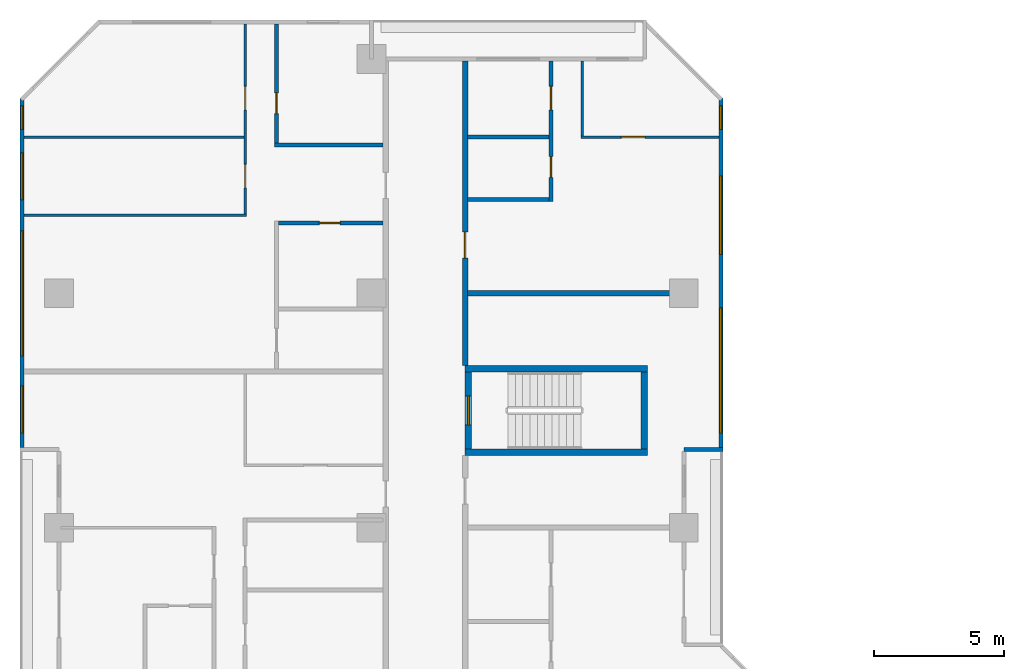
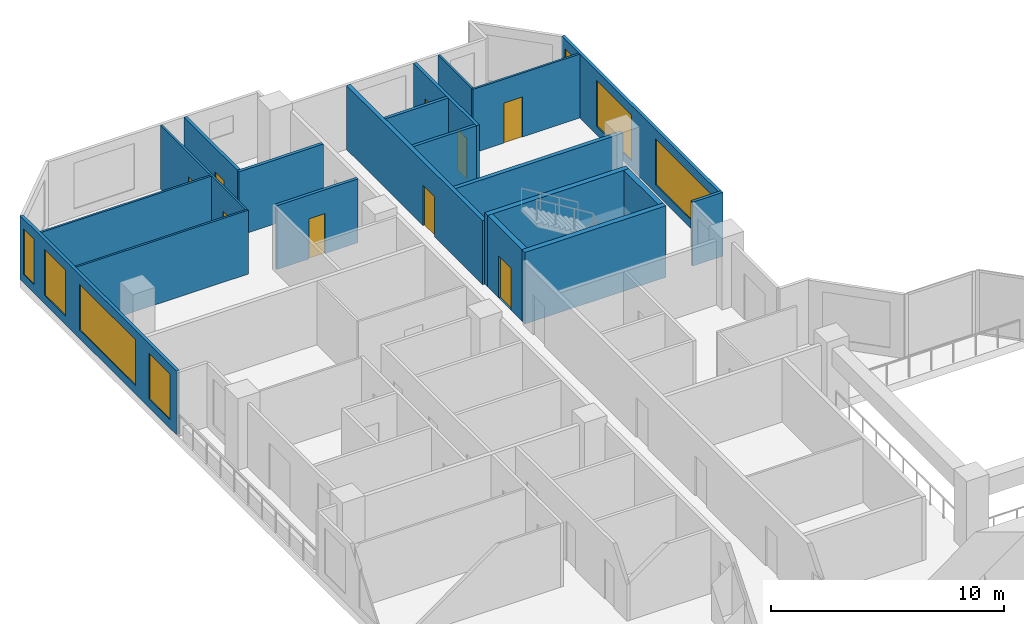
# One storey, part 10 of 15: 20 walls, 9 doors, 7 windows, 16 openings.
"""IFC4 building model written with IfcOpenShell, lengths in metres."""

from ifc_helpers import new_model, si_unit, direction, frame, frame_2d, origin, place, context, subcontext, project, spatial, rectangle, extrude, material, layer, layer_set, type_object, element, fill, save


model = new_model("IFC4")

# Units and contexts
model_context = context("Model", 3, precision=1e-05, world=origin(), true_north=direction((0.0, 1.0)))
body_context = subcontext(model_context, "Body", "Model", "MODEL_VIEW")
ifc_project = project(units=[si_unit("LENGTHUNIT", "METRE"), si_unit("AREAUNIT", "SQUARE_METRE"), si_unit("VOLUMEUNIT", "CUBIC_METRE"), si_unit("PLANEANGLEUNIT", "RADIAN"), si_unit("MASSUNIT", "GRAM", prefix="KILO")], contexts=[model_context])

# Site, building, storey
site_placement = place(None, origin())
site = spatial("IfcSite", under=ifc_project, at=site_placement, CompositionType="ELEMENT")
building_placement = place(site_placement, origin())
building = spatial("IfcBuilding", under=site, at=building_placement, Name="Chenar Terraces", CompositionType="ELEMENT")
storey_placement = place(building_placement, frame((0.0, 0.0, 45.14990234375)))
storey = spatial("IfcBuildingStorey", under=building, at=storey_placement, Name="L08", CompositionType="ELEMENT", Elevation=45.14990234375)

# Walls
ifc_material_1 = material(Name="Concrete C70/85", Category="concrete")
ifc_layer_1 = layer(ifc_material_1, 0.25)
ifc_layer_set_1 = layer_set([ifc_layer_1], Name="Concrete C70/85")
wall_type_1 = type_object("IfcWallType", Name="Core wall 250 Concrete C70/85", PredefinedType="SHEAR", material=ifc_layer_set_1)
for number, where, z_axis, x_axis, name in (
    (1, (15.60009765625, 47.89990234375, 0.0), (0.0, 0.0, 1.0), (1.0, 0.0, 0.0), "Core wall ST4_S L08"),
    (2, (15.60009765625, 51.10009765625, 0.0), (0.0, 0.0, 1.0), (1.0, 0.0, 0.0), "Core wall ST4_N L08"),
):
    element("IfcWall", number, at=place(storey_placement, frame(where, z_axis=z_axis, x_axis=x_axis)), inside=storey, type_object=wall_type_1, Name=name, PredefinedType="SHEAR", context=body_context, shape_type="SweptSolid", body=[
        extrude(rectangle(XDim=7.0, YDim=0.25, at=frame_2d((3.5, 0.0))), origin(), (0.0, 0.0, 1.0), 3.75),
    ])

# Wall, opening, door
wall_1_placement = place(storey_placement, frame((15.72509765625, 48.02490234375, 0.0), z_axis=(0.0, 0.0, 1.0), x_axis=(0.0, 1.0, 0.0)))
wall_1 = element("IfcWall", 3, at=wall_1_placement, inside=storey, type_object=wall_type_1, Name="Core wall ST4_W L08", PredefinedType="SHEAR", context=body_context, shape_type="SweptSolid", body=[
    extrude(rectangle(XDim=2.9501953125, YDim=0.25, at=frame_2d((1.47509765625, 0.0))), origin(), (0.0, 0.0, 1.0), 3.75),
])
opening_1_placement = place(wall_1_placement, frame((0.925048828125, 0.0, 0.0)))
opening_1 = element("IfcOpeningElement", 4, at=opening_1_placement, cuts=wall_1, Name="Opening DL08-C9", PredefinedType="OPENING", context=body_context, shape_type="SweptSolid", body=[
    extrude(rectangle(XDim=1.10009765625, YDim=2.199951171875, at=frame_2d((0.550048828125, 1.10009765625))), frame((0.0, 0.135009765625, 0.0), z_axis=(0.0, -1.0, 0.0), x_axis=(1.0, 0.0, 0.0)), (0.0, 0.0, 1.0), 0.27001953125),
])
ifc_material_2 = material(Name="Steel-framed fire-resisting door leaf", Category="steel")
door_type_1 = type_object("IfcDoorType", Name="Stair fire door FD60 1100 x 2200", OperationType="SINGLE_SWING_LEFT", PredefinedType="DOOR", material=ifc_material_2)
door_1_placement = place(opening_1_placement, frame((1.10009765625, 0.0, 0.0), z_axis=(0.0, 0.0, 1.0), x_axis=(-1.0, 0.0, 0.0)))
door_1 = element("IfcDoor", 5, at=door_1_placement, inside=storey, type_object=door_type_1, Name="Stair door DL08-C9", OperationType="SINGLE_SWING_RIGHT", OverallHeight=2.199951171875, OverallWidth=1.10009765625, PredefinedType="DOOR", context=body_context, shape_type="SweptSolid", body=[
    extrude(rectangle(XDim=1.10009765625, YDim=2.199951171875, at=frame_2d((0.550048828125, 1.10009765625))), frame((0.0, 0.02490234375, 0.0), z_axis=(0.0, -1.0, 0.0), x_axis=(1.0, 0.0, 0.0)), (0.0, 0.0, 1.0), 0.050048828125),
])
fill(opening_1, door_1)

# Wall
wall_2_placement = place(storey_placement, frame((22.47509765625, 48.02490234375, 0.0), z_axis=(0.0, 0.0, 1.0), x_axis=(0.0, 1.0, 0.0)))
element("IfcWall", 6, at=wall_2_placement, inside=storey, type_object=wall_type_1, Name="Core wall ST4_E L08", PredefinedType="SHEAR", context=body_context, shape_type="SweptSolid", body=[
    extrude(rectangle(XDim=2.9501953125, YDim=0.25, at=frame_2d((1.47509765625, 0.0))), origin(), (0.0, 0.0, 1.0), 3.75),
])

# Wall, opening, door
ifc_material_3 = material(Name="Gypsum board on steel studs with fire boards", Category="steel")
ifc_layer_2 = layer(ifc_material_3, 0.199951171875)
ifc_layer_set_2 = layer_set([ifc_layer_2], Name="Gypsum board on steel studs with fire boards")
wall_type_2 = type_object("IfcWallType", Name="Corridor wall 200", PredefinedType="PARTITIONING", material=ifc_layer_set_2)
wall_3_placement = place(storey_placement, frame((15.60009765625, 51.22509765625, 0.0), z_axis=(0.0, 0.0, 1.0), x_axis=(0.0, 1.0, 0.0)))
wall_3 = element("IfcWall", 7, at=wall_3_placement, inside=storey, type_object=wall_type_2, Name="Partition L08-039", PredefinedType="PARTITIONING", context=body_context, shape_type="SweptSolid", body=[
    extrude(rectangle(XDim=11.700927734375, YDim=0.199951171875, at=frame_2d((5.8505859375, 0.0))), origin(), (0.0, 0.0, 1.0), 3.35009765625),
])
opening_2_placement = place(wall_3_placement, frame((4.125, 0.0, 0.0)))
opening_2 = element("IfcOpeningElement", 8, at=opening_2_placement, cuts=wall_3, Name="Opening DL08-32", PredefinedType="OPENING", context=body_context, shape_type="SweptSolid", body=[
    extrude(rectangle(XDim=1.0, YDim=2.10009765625, at=frame_2d((0.5, 1.050048828125))), frame((0.0, 0.10986328125, 0.0), z_axis=(0.0, -1.0, 0.0), x_axis=(1.0, 0.0, 0.0)), (0.0, 0.0, 1.0), 0.219970703125),
])
ifc_material_4 = material(Name="Steel-framed fire-resisting door leaf", Category="steel")
door_type_2 = type_object("IfcDoorType", Name="Fire door FD30S 1000 x 2100", OperationType="SINGLE_SWING_LEFT", PredefinedType="DOOR", material=ifc_material_4)
door_2_placement = place(opening_2_placement, frame((1.0, 0.0, 0.0), z_axis=(0.0, 0.0, 1.0), x_axis=(-1.0, 0.0, 0.0)))
door_2 = element("IfcDoor", 9, at=door_2_placement, inside=storey, type_object=door_type_2, Name="Door DL08-32", OperationType="SINGLE_SWING_LEFT", OverallHeight=2.10009765625, OverallWidth=1.0, PredefinedType="DOOR", context=body_context, shape_type="SweptSolid", body=[
    extrude(rectangle(XDim=1.0, YDim=2.10009765625, at=frame_2d((0.5, 1.050048828125))), frame((0.0, 0.02490234375, 0.0), z_axis=(0.0, -1.0, 0.0), x_axis=(1.0, 0.0, 0.0)), (0.0, 0.0, 1.0), 0.050048828125),
])
fill(opening_2, door_2)

# Wall, openings, windows
ifc_material_5 = material(Name="Aluminium framed glazing", Category="aluminium")
ifc_layer_3 = layer(ifc_material_5, 0.14990234375)
ifc_layer_set_3 = layer_set([ifc_layer_3], Name="Aluminium framed glazing")
wall_type_3 = type_object("IfcWallType", Name="Glazed flush facade wall 150", PredefinedType="SOLIDWALL", material=ifc_layer_set_3)
wall_4_placement = place(storey_placement, frame((25.425048828125, 48.074951171875, 0.0), z_axis=(0.0, 0.0, 1.0), x_axis=(0.0, 1.0, 0.0)))
wall_4 = element("IfcWall", 10, at=wall_4_placement, inside=storey, type_object=wall_type_3, Name="Glazed flush facade wall", PredefinedType="SOLIDWALL", context=body_context, shape_type="SweptSolid", body=[
    extrude(rectangle(XDim=13.425048828125, YDim=0.14990234375, at=frame_2d((6.71240234375, 0.0))), origin(), (0.0, 0.0, 1.0), 3.35009765625),
])
opening_3_placement = place(wall_4_placement, frame((0.5625, 0.0, 0.449951171875)))
opening_3 = element("IfcOpeningElement", 11, at=opening_3_placement, cuts=wall_4, Name="Opening W480x240", PredefinedType="OPENING", context=body_context, shape_type="SweptSolid", body=[
    extrude(rectangle(XDim=4.800048828125, YDim=2.39990234375, at=frame_2d((2.39990234375, 1.199951171875))), frame((0.0, 0.0849609375, 0.0), z_axis=(0.0, -1.0, 0.0), x_axis=(1.0, 0.0, 0.0)), (0.0, 0.0, 1.0), 0.169921875),
])
opening_4_placement = place(wall_4_placement, frame((7.425048828125, 0.0, 0.449951171875)))
opening_4 = element("IfcOpeningElement", 12, at=opening_4_placement, cuts=wall_4, Name="Opening W300x240", PredefinedType="OPENING", context=body_context, shape_type="SweptSolid", body=[
    extrude(rectangle(XDim=3.0, YDim=2.39990234375, at=frame_2d((1.5, 1.199951171875))), frame((0.0, 0.0849609375, 0.0), z_axis=(0.0, -1.0, 0.0), x_axis=(1.0, 0.0, 0.0)), (0.0, 0.0, 1.0), 0.169921875),
])
opening_5_placement = place(wall_4_placement, frame((12.22509765625, 0.0, 0.449951171875)))
opening_5 = element("IfcOpeningElement", 13, at=opening_5_placement, cuts=wall_4, Name="Opening W90x240", PredefinedType="OPENING", context=body_context, shape_type="SweptSolid", body=[
    extrude(rectangle(XDim=0.89990234375, YDim=2.39990234375, at=frame_2d((0.449951171875, 1.199951171875))), frame((0.0, 0.0849609375, 0.0), z_axis=(0.0, -1.0, 0.0), x_axis=(1.0, 0.0, 0.0)), (0.0, 0.0, 1.0), 0.169921875),
])
ifc_material_6 = material(Name="Low emissivity double glazing, aluminium frame", Category="aluminium")
window_type_1 = type_object("IfcWindowType", Name="Fixed light 3000 x 2400", PartitioningType="SINGLE_PANEL", PredefinedType="WINDOW", material=ifc_material_6)
window_1_placement = place(opening_4_placement, origin())
window_1 = element("IfcWindow", 14, at=window_1_placement, inside=storey, type_object=window_type_1, Name="Window", OverallHeight=2.39990234375, OverallWidth=3.0, PartitioningType="SINGLE_PANEL", PredefinedType="WINDOW", context=body_context, shape_type="SweptSolid", body=[
    extrude(rectangle(XDim=3.0, YDim=2.39990234375, at=frame_2d((1.5, 1.199951171875))), frame((0.0, 0.030029296875, 0.0), z_axis=(0.0, -1.0, 0.0), x_axis=(1.0, 0.0, 0.0)), (0.0, 0.0, 1.0), 0.06005859375),
])
fill(opening_4, window_1)
ifc_material_7 = material(Name="Low emissivity double glazing, aluminium frame", Category="aluminium")
window_type_2 = type_object("IfcWindowType", Name="Fixed light 4800 x 2400", PartitioningType="SINGLE_PANEL", PredefinedType="WINDOW", material=ifc_material_7)
window_2_placement = place(opening_3_placement, origin())
window_2 = element("IfcWindow", 15, at=window_2_placement, inside=storey, type_object=window_type_2, Name="Window", OverallHeight=2.39990234375, OverallWidth=4.800048828125, PartitioningType="SINGLE_PANEL", PredefinedType="WINDOW", context=body_context, shape_type="SweptSolid", body=[
    extrude(rectangle(XDim=4.800048828125, YDim=2.39990234375, at=frame_2d((2.39990234375, 1.199951171875))), frame((0.0, 0.030029296875, 0.0), z_axis=(0.0, -1.0, 0.0), x_axis=(1.0, 0.0, 0.0)), (0.0, 0.0, 1.0), 0.06005859375),
])
fill(opening_3, window_2)
ifc_material_8 = material(Name="Low emissivity double glazing, aluminium frame", Category="aluminium")
window_type_3 = type_object("IfcWindowType", Name="Fixed light 900 x 2400", PartitioningType="SINGLE_PANEL", PredefinedType="WINDOW", material=ifc_material_8)
window_3_placement = place(opening_5_placement, origin())
window_3 = element("IfcWindow", 16, at=window_3_placement, inside=storey, type_object=window_type_3, Name="Window", OverallHeight=2.39990234375, OverallWidth=0.89990234375, PartitioningType="SINGLE_PANEL", PredefinedType="WINDOW", context=body_context, shape_type="SweptSolid", body=[
    extrude(rectangle(XDim=0.89990234375, YDim=2.39990234375, at=frame_2d((0.449951171875, 1.199951171875))), frame((0.0, 0.030029296875, 0.0), z_axis=(0.0, -1.0, 0.0), x_axis=(1.0, 0.0, 0.0)), (0.0, 0.0, 1.0), 0.06005859375),
])
fill(opening_5, window_3)

wall_5_placement = place(storey_placement, frame((-1.425048828125, 61.5, 0.0), z_axis=(0.0, 0.0, 1.0), x_axis=(0.0, -1.0, 0.0)))
wall_5 = element("IfcWall", 17, at=wall_5_placement, inside=storey, type_object=wall_type_3, Name="Glazed flush facade wall", PredefinedType="SOLIDWALL", context=body_context, shape_type="SweptSolid", body=[
    extrude(rectangle(XDim=13.425048828125, YDim=0.14990234375, at=frame_2d((6.71240234375, 0.0))), origin(), (0.0, 0.0, 1.0), 3.35009765625),
])
opening_6_placement = place(wall_5_placement, frame((0.300048828125, 0.0, 0.449951171875)))
opening_6 = element("IfcOpeningElement", 18, at=opening_6_placement, cuts=wall_5, Name="Opening W90x240", PredefinedType="OPENING", context=body_context, shape_type="SweptSolid", body=[
    extrude(rectangle(XDim=0.89990234375, YDim=2.39990234375, at=frame_2d((0.449951171875, 1.199951171875))), frame((0.0, 0.0849609375, 0.0), z_axis=(0.0, -1.0, 0.0), x_axis=(1.0, 0.0, 0.0)), (0.0, 0.0, 1.0), 0.169921875),
])
opening_7_placement = place(wall_5_placement, frame((2.10009765625, 0.0, 0.449951171875)))
opening_7 = element("IfcOpeningElement", 19, at=opening_7_placement, cuts=wall_5, Name="Opening W180x240", PredefinedType="OPENING", context=body_context, shape_type="SweptSolid", body=[
    extrude(rectangle(XDim=1.800048828125, YDim=2.39990234375, at=frame_2d((0.89990234375, 1.199951171875))), frame((0.0, 0.0849609375, 0.0), z_axis=(0.0, -1.0, 0.0), x_axis=(1.0, 0.0, 0.0)), (0.0, 0.0, 1.0), 0.169921875),
])
opening_8_placement = place(wall_5_placement, frame((5.10009765625, 0.0, 0.449951171875)))
opening_8 = element("IfcOpeningElement", 20, at=opening_8_placement, cuts=wall_5, Name="Opening W480x240", PredefinedType="OPENING", context=body_context, shape_type="SweptSolid", body=[
    extrude(rectangle(XDim=4.800048828125, YDim=2.39990234375, at=frame_2d((2.39990234375, 1.199951171875))), frame((0.0, 0.0849609375, 0.0), z_axis=(0.0, -1.0, 0.0), x_axis=(1.0, 0.0, 0.0)), (0.0, 0.0, 1.0), 0.169921875),
])
opening_9_placement = place(wall_5_placement, frame((11.0625, 0.0, 0.449951171875)))
opening_9 = element("IfcOpeningElement", 21, at=opening_9_placement, cuts=wall_5, Name="Opening W180x240", PredefinedType="OPENING", context=body_context, shape_type="SweptSolid", body=[
    extrude(rectangle(XDim=1.800048828125, YDim=2.39990234375, at=frame_2d((0.89990234375, 1.199951171875))), frame((0.0, 0.0849609375, 0.0), z_axis=(0.0, -1.0, 0.0), x_axis=(1.0, 0.0, 0.0)), (0.0, 0.0, 1.0), 0.169921875),
])
ifc_material_9 = material(Name="Low emissivity double glazing, aluminium frame", Category="aluminium")
window_type_4 = type_object("IfcWindowType", Name="Fixed light 1800 x 2400", PartitioningType="SINGLE_PANEL", PredefinedType="WINDOW", material=ifc_material_9)
window_4_placement = place(opening_7_placement, origin())
window_4 = element("IfcWindow", 22, at=window_4_placement, inside=storey, type_object=window_type_4, Name="Window", OverallHeight=2.39990234375, OverallWidth=1.800048828125, PartitioningType="SINGLE_PANEL", PredefinedType="WINDOW", context=body_context, shape_type="SweptSolid", body=[
    extrude(rectangle(XDim=1.800048828125, YDim=2.39990234375, at=frame_2d((0.89990234375, 1.199951171875))), frame((0.0, 0.030029296875, 0.0), z_axis=(0.0, -1.0, 0.0), x_axis=(1.0, 0.0, 0.0)), (0.0, 0.0, 1.0), 0.06005859375),
])
fill(opening_7, window_4)
window_5_placement = place(opening_9_placement, origin())
window_5 = element("IfcWindow", 23, at=window_5_placement, inside=storey, type_object=window_type_4, Name="Window", OverallHeight=2.39990234375, OverallWidth=1.800048828125, PartitioningType="SINGLE_PANEL", PredefinedType="WINDOW", context=body_context, shape_type="SweptSolid", body=[
    extrude(rectangle(XDim=1.800048828125, YDim=2.39990234375, at=frame_2d((0.89990234375, 1.199951171875))), frame((0.0, 0.030029296875, 0.0), z_axis=(0.0, -1.0, 0.0), x_axis=(1.0, 0.0, 0.0)), (0.0, 0.0, 1.0), 0.06005859375),
])
fill(opening_9, window_5)
window_6_placement = place(opening_8_placement, origin())
window_6 = element("IfcWindow", 24, at=window_6_placement, inside=storey, type_object=window_type_2, Name="Window", OverallHeight=2.39990234375, OverallWidth=4.800048828125, PartitioningType="SINGLE_PANEL", PredefinedType="WINDOW", context=body_context, shape_type="SweptSolid", body=[
    extrude(rectangle(XDim=4.800048828125, YDim=2.39990234375, at=frame_2d((2.39990234375, 1.199951171875))), frame((0.0, 0.030029296875, 0.0), z_axis=(0.0, -1.0, 0.0), x_axis=(1.0, 0.0, 0.0)), (0.0, 0.0, 1.0), 0.06005859375),
])
fill(opening_8, window_6)
window_7_placement = place(opening_6_placement, origin())
window_7 = element("IfcWindow", 25, at=window_7_placement, inside=storey, type_object=window_type_3, Name="Window", OverallHeight=2.39990234375, OverallWidth=0.89990234375, PartitioningType="SINGLE_PANEL", PredefinedType="WINDOW", context=body_context, shape_type="SweptSolid", body=[
    extrude(rectangle(XDim=0.89990234375, YDim=2.39990234375, at=frame_2d((0.449951171875, 1.199951171875))), frame((0.0, 0.030029296875, 0.0), z_axis=(0.0, -1.0, 0.0), x_axis=(1.0, 0.0, 0.0)), (0.0, 0.0, 1.0), 0.06005859375),
])
fill(opening_6, window_7)

# Walls
ifc_material_10 = material(Name="Gypsum board on steel studs", Category="steel")
ifc_layer_4 = layer(ifc_material_10, 0.10009765625)
ifc_layer_set_4 = layer_set([ifc_layer_4], Name="Gypsum board on steel studs")
wall_type_4 = type_object("IfcWallType", Name="Gypsum partition 100", PredefinedType="PARTITIONING", material=ifc_layer_set_4)
wall_6_placement = place(storey_placement, frame((-1.35107421875, 60.0, 0.0), z_axis=(0.0, 0.0, 1.0), x_axis=(1.0, 0.0, 0.0)))
element("IfcWall", 26, at=wall_6_placement, inside=storey, type_object=wall_type_4, Name="Partition L08-002", PredefinedType="PARTITIONING", context=body_context, shape_type="SweptSolid", body=[
    extrude(rectangle(XDim=8.451171875, YDim=0.10009765625, at=frame_2d((4.2255859375, 0.0))), origin(), (0.0, 0.0, 1.0), 3.35009765625),
])
wall_7_placement = place(storey_placement, frame((-1.35009765625, 57.0, 0.0), z_axis=(0.0, 0.0, 1.0), x_axis=(1.0, 0.0, 0.0)))
element("IfcWall", 27, at=wall_7_placement, inside=storey, type_object=wall_type_4, Name="Partition L08-006", PredefinedType="PARTITIONING", context=body_context, shape_type="SweptSolid", body=[
    extrude(rectangle(XDim=8.550048828125, YDim=0.10009765625, at=frame_2d((4.27490234375, 0.0))), origin(), (0.0, 0.0, 1.0), 3.35009765625),
])

# Wall, openings, doors
wall_8_placement = place(storey_placement, frame((7.14990234375, 57.050048828125, 0.0), z_axis=(0.0, 0.0, 1.0), x_axis=(0.0, 1.0, 0.0)))
wall_8 = element("IfcWall", 28, at=wall_8_placement, inside=storey, type_object=wall_type_4, Name="Partition L08-019", PredefinedType="PARTITIONING", context=body_context, shape_type="SweptSolid", body=[
    extrude(rectangle(XDim=7.300048828125, YDim=0.10009765625, at=frame_2d((3.64990234375, 0.0))), origin(), (0.0, 0.0, 1.0), 3.35009765625),
])
opening_10_placement = place(wall_8_placement, frame((1.0, 0.0, 0.0)))
opening_10 = element("IfcOpeningElement", 29, at=opening_10_placement, cuts=wall_8, Name="Opening DL08-42", PredefinedType="OPENING", context=body_context, shape_type="SweptSolid", body=[
    extrude(rectangle(XDim=0.89990234375, YDim=2.10009765625, at=frame_2d((0.449951171875, 1.050048828125))), frame((0.0, 0.06005859375, 0.0), z_axis=(0.0, -1.0, 0.0), x_axis=(1.0, 0.0, 0.0)), (0.0, 0.0, 1.0), 0.1201171875),
])
opening_11_placement = place(wall_8_placement, frame((4.0, 0.0, 0.0)))
opening_11 = element("IfcOpeningElement", 30, at=opening_11_placement, cuts=wall_8, Name="Opening DL08-43", PredefinedType="OPENING", context=body_context, shape_type="SweptSolid", body=[
    extrude(rectangle(XDim=0.89990234375, YDim=2.10009765625, at=frame_2d((0.449951171875, 1.050048828125))), frame((0.0, 0.06005859375, 0.0), z_axis=(0.0, -1.0, 0.0), x_axis=(1.0, 0.0, 0.0)), (0.0, 0.0, 1.0), 0.1201171875),
])
ifc_material_11 = material(Name="Veneered timber door leaf", Category="wood")
door_type_3 = type_object("IfcDoorType", Name="Door 900 x 2100", OperationType="SINGLE_SWING_LEFT", PredefinedType="DOOR", material=ifc_material_11)
door_3_placement = place(opening_10_placement, origin())
door_3 = element("IfcDoor", 31, at=door_3_placement, inside=storey, type_object=door_type_3, Name="Door DL08-42", OperationType="SINGLE_SWING_RIGHT", OverallHeight=2.10009765625, OverallWidth=0.89990234375, PredefinedType="DOOR", context=body_context, shape_type="SweptSolid", body=[
    extrude(rectangle(XDim=0.89990234375, YDim=2.10009765625, at=frame_2d((0.449951171875, 1.050048828125))), frame((0.0, 0.02490234375, 0.0), z_axis=(0.0, -1.0, 0.0), x_axis=(1.0, 0.0, 0.0)), (0.0, 0.0, 1.0), 0.050048828125),
])
fill(opening_10, door_3)
door_4_placement = place(opening_11_placement, origin())
door_4 = element("IfcDoor", 32, at=door_4_placement, inside=storey, type_object=door_type_3, Name="Door DL08-43", OperationType="SINGLE_SWING_LEFT", OverallHeight=2.10009765625, OverallWidth=0.89990234375, PredefinedType="DOOR", context=body_context, shape_type="SweptSolid", body=[
    extrude(rectangle(XDim=0.89990234375, YDim=2.10009765625, at=frame_2d((0.449951171875, 1.050048828125))), frame((0.0, 0.02490234375, 0.0), z_axis=(0.0, -1.0, 0.0), x_axis=(1.0, 0.0, 0.0)), (0.0, 0.0, 1.0), 0.050048828125),
])
fill(opening_11, door_4)

# Wall, opening, door
wall_9_placement = place(storey_placement, frame((20.050048828125, 60.0, 0.0), z_axis=(0.0, 0.0, 1.0), x_axis=(1.0, 0.0, 0.0)))
wall_9 = element("IfcWall", 33, at=wall_9_placement, inside=storey, type_object=wall_type_4, Name="Partition L08-053", PredefinedType="PARTITIONING", context=body_context, shape_type="SweptSolid", body=[
    extrude(rectangle(XDim=5.300048828125, YDim=0.10009765625, at=frame_2d((2.64990234375, 0.0))), origin(), (0.0, 0.0, 1.0), 3.35009765625),
])
opening_12_placement = place(wall_9_placement, frame((1.550048828125, 0.0, 0.0)))
opening_12 = element("IfcOpeningElement", 34, at=opening_12_placement, cuts=wall_9, Name="Opening DL08-30", PredefinedType="OPENING", context=body_context, shape_type="SweptSolid", body=[
    extrude(rectangle(XDim=0.89990234375, YDim=2.10009765625, at=frame_2d((0.449951171875, 1.050048828125))), frame((0.0, 0.06005859375, 0.0), z_axis=(0.0, -1.0, 0.0), x_axis=(1.0, 0.0, 0.0)), (0.0, 0.0, 1.0), 0.1201171875),
])
door_5_placement = place(opening_12_placement, origin())
door_5 = element("IfcDoor", 35, at=door_5_placement, inside=storey, type_object=door_type_3, Name="Door DL08-30", OperationType="SINGLE_SWING_LEFT", OverallHeight=2.10009765625, OverallWidth=0.89990234375, PredefinedType="DOOR", context=body_context, shape_type="SweptSolid", body=[
    extrude(rectangle(XDim=0.89990234375, YDim=2.10009765625, at=frame_2d((0.449951171875, 1.050048828125))), frame((0.0, 0.02490234375, 0.0), z_axis=(0.0, -1.0, 0.0), x_axis=(1.0, 0.0, 0.0)), (0.0, 0.0, 1.0), 0.050048828125),
])
fill(opening_12, door_5)

# Walls
wall_10_placement = place(storey_placement, frame((20.10009765625, 60.050048828125, 0.0), z_axis=(0.0, 0.0, 1.0), x_axis=(0.0, 1.0, 0.0)))
element("IfcWall", 36, at=wall_10_placement, inside=storey, type_object=wall_type_4, Name="Partition L08-055", PredefinedType="PARTITIONING", context=body_context, shape_type="SweptSolid", body=[
    extrude(rectangle(XDim=2.8759765625, YDim=0.10009765625, at=frame_2d((1.43798828125, 0.0))), origin(), (0.0, 0.0, 1.0), 3.35009765625),
])
ifc_material_12 = material(Name="Terracotta cladding on insulated backing", Category="masonry")
ifc_layer_5 = layer(ifc_material_12, 0.14990234375)
ifc_layer_set_5 = layer_set([ifc_layer_5], Name="Terracotta cladding on insulated backing")
wall_type_5 = type_object("IfcWallType", Name="Loggia return wall 150", PredefinedType="SOLIDWALL", material=ifc_layer_set_5)
wall_11_placement = place(storey_placement, frame((25.5, 48.0, 0.0), z_axis=(0.0, 0.0, 1.0), x_axis=(-1.0, 0.0, 0.0)))
element("IfcWall", 37, at=wall_11_placement, inside=storey, type_object=wall_type_5, Name="Loggia return wall", PredefinedType="SOLIDWALL", context=body_context, shape_type="SweptSolid", body=[
    extrude(rectangle(XDim=1.5, YDim=0.14990234375, at=frame_2d((0.75, 0.0))), origin(), (0.0, 0.0, 1.0), 3.35009765625),
])
ifc_material_13 = material(Name="Twin gypsum board on steel studs with mineral wool", Category="steel")
ifc_layer_6 = layer(ifc_material_13, 0.199951171875)
ifc_layer_set_6 = layer_set([ifc_layer_6], Name="Twin gypsum board on steel studs with mineral wool")
wall_type_6 = type_object("IfcWallType", Name="Unit demising wall 200", PredefinedType="PARTITIONING", material=ifc_layer_set_6)
wall_12_placement = place(storey_placement, frame((15.699951171875, 54.0, 0.0), z_axis=(0.0, 0.0, 1.0), x_axis=(1.0, 0.0, 0.0)))
element("IfcWall", 38, at=wall_12_placement, inside=storey, type_object=wall_type_6, Name="Partition L08-046", PredefinedType="PARTITIONING", context=body_context, shape_type="SweptSolid", body=[
    extrude(rectangle(XDim=8.300048828125, YDim=0.199951171875, at=frame_2d((4.14990234375, 0.0))), origin(), (0.0, 0.0, 1.0), 3.35009765625),
])
ifc_material_14 = material(Name="Moisture-resistant gypsum board on steel studs", Category="steel")
ifc_layer_7 = layer(ifc_material_14, 0.14990234375)
ifc_layer_set_7 = layer_set([ifc_layer_7], Name="Moisture-resistant gypsum board on steel studs")
wall_type_7 = type_object("IfcWallType", Name="Wet-room partition 150", PredefinedType="PARTITIONING", material=ifc_layer_set_7)
wall_13_placement = place(storey_placement, frame((8.27490234375, 59.699951171875, 0.0), z_axis=(0.0, 0.0, 1.0), x_axis=(1.0, 0.0, 0.0)))
element("IfcWall", 39, at=wall_13_placement, inside=storey, type_object=wall_type_7, Name="Partition L08-023", PredefinedType="PARTITIONING", context=body_context, shape_type="SweptSolid", body=[
    extrude(rectangle(XDim=4.175048828125, YDim=0.14990234375, at=frame_2d((2.08740234375, 0.0))), origin(), (0.0, 0.0, 1.0), 3.35009765625),
])

# Wall, opening, door
wall_14_placement = place(storey_placement, frame((8.35009765625, 59.77490234375, 0.0), z_axis=(0.0, 0.0, 1.0), x_axis=(0.0, 1.0, 0.0)))
wall_14 = element("IfcWall", 40, at=wall_14_placement, inside=storey, type_object=wall_type_7, Name="Partition L08-026", PredefinedType="PARTITIONING", context=body_context, shape_type="SweptSolid", body=[
    extrude(rectangle(XDim=4.5751953125, YDim=0.14990234375, at=frame_2d((2.28759765625, 0.0))), origin(), (0.0, 0.0, 1.0), 3.35009765625),
])
opening_13_placement = place(wall_14_placement, frame((1.125, 0.0, 0.0)))
opening_13 = element("IfcOpeningElement", 41, at=opening_13_placement, cuts=wall_14, Name="Opening DL08-45", PredefinedType="OPENING", context=body_context, shape_type="SweptSolid", body=[
    extrude(rectangle(XDim=0.800048828125, YDim=2.10009765625, at=frame_2d((0.39990234375, 1.050048828125))), frame((0.0, 0.0849609375, 0.0), z_axis=(0.0, -1.0, 0.0), x_axis=(1.0, 0.0, 0.0)), (0.0, 0.0, 1.0), 0.169921875),
])
ifc_material_15 = material(Name="Veneered timber door leaf", Category="wood")
door_type_4 = type_object("IfcDoorType", Name="Door 800 x 2100", OperationType="SINGLE_SWING_LEFT", PredefinedType="DOOR", material=ifc_material_15)
door_6_placement = place(opening_13_placement, frame((0.800048828125, 0.0, 0.0), z_axis=(0.0, 0.0, 1.0), x_axis=(-1.0, 0.0, 0.0)))
door_6 = element("IfcDoor", 42, at=door_6_placement, inside=storey, type_object=door_type_4, Name="Door DL08-45", OperationType="SINGLE_SWING_RIGHT", OverallHeight=2.10009765625, OverallWidth=0.800048828125, PredefinedType="DOOR", context=body_context, shape_type="SweptSolid", body=[
    extrude(rectangle(XDim=0.800048828125, YDim=2.10009765625, at=frame_2d((0.39990234375, 1.050048828125))), frame((0.0, 0.02490234375, 0.0), z_axis=(0.0, -1.0, 0.0), x_axis=(1.0, 0.0, 0.0)), (0.0, 0.0, 1.0), 0.050048828125),
])
fill(opening_13, door_6)

wall_15_placement = place(storey_placement, frame((8.425048828125, 56.699951171875, 0.0), z_axis=(0.0, 0.0, 1.0), x_axis=(1.0, 0.0, 0.0)))
wall_15 = element("IfcWall", 43, at=wall_15_placement, inside=storey, type_object=wall_type_7, Name="Partition L08-031", PredefinedType="PARTITIONING", context=body_context, shape_type="SweptSolid", body=[
    extrude(rectangle(XDim=4.02490234375, YDim=0.14990234375, at=frame_2d((2.012451171875, 0.0))), origin(), (0.0, 0.0, 1.0), 3.35009765625),
])
opening_14_placement = place(wall_15_placement, frame((1.574951171875, 0.0, 0.0)))
opening_14 = element("IfcOpeningElement", 44, at=opening_14_placement, cuts=wall_15, Name="Opening DL08-41", PredefinedType="OPENING", context=body_context, shape_type="SweptSolid", body=[
    extrude(rectangle(XDim=0.800048828125, YDim=2.10009765625, at=frame_2d((0.39990234375, 1.050048828125))), frame((0.0, 0.0849609375, 0.0), z_axis=(0.0, -1.0, 0.0), x_axis=(1.0, 0.0, 0.0)), (0.0, 0.0, 1.0), 0.169921875),
])
door_7_placement = place(opening_14_placement, frame((0.800048828125, 0.0, 0.0), z_axis=(0.0, 0.0, 1.0), x_axis=(-1.0, 0.0, 0.0)))
door_7 = element("IfcDoor", 45, at=door_7_placement, inside=storey, type_object=door_type_4, Name="Door DL08-41", OperationType="SINGLE_SWING_LEFT", OverallHeight=2.10009765625, OverallWidth=0.800048828125, PredefinedType="DOOR", context=body_context, shape_type="SweptSolid", body=[
    extrude(rectangle(XDim=0.800048828125, YDim=2.10009765625, at=frame_2d((0.39990234375, 1.050048828125))), frame((0.0, 0.02490234375, 0.0), z_axis=(0.0, -1.0, 0.0), x_axis=(1.0, 0.0, 0.0)), (0.0, 0.0, 1.0), 0.050048828125),
])
fill(opening_14, door_7)

# Walls
for number, where, z_axis, x_axis, name in (
    (46, (15.699951171875, 57.60009765625, 0.0), (0.0, 0.0, 1.0), (1.0, 0.0, 0.0), "Partition L08-047"),
    (47, (15.699951171875, 60.0, 0.0), (0.0, 0.0, 1.0), (1.0, 0.0, 0.0), "Partition L08-048"),
):
    element("IfcWall", number, at=place(storey_placement, frame(where, z_axis=z_axis, x_axis=x_axis)), inside=storey, type_object=wall_type_7, Name=name, PredefinedType="PARTITIONING", context=body_context, shape_type="SweptSolid", body=[
        extrude(rectangle(XDim=3.125, YDim=0.14990234375, at=frame_2d((1.5625, 0.0))), origin(), (0.0, 0.0, 1.0), 3.35009765625),
    ])

# Wall, openings, doors
wall_16_placement = place(storey_placement, frame((18.89990234375, 57.52490234375, 0.0), z_axis=(0.0, 0.0, 1.0), x_axis=(0.0, 1.0, 0.0)))
wall_16 = element("IfcWall", 48, at=wall_16_placement, inside=storey, type_object=wall_type_7, Name="Partition L08-051", PredefinedType="PARTITIONING", context=body_context, shape_type="SweptSolid", body=[
    extrude(rectangle(XDim=5.401123046875, YDim=0.14990234375, at=frame_2d((2.70068359375, 0.0))), origin(), (0.0, 0.0, 1.0), 3.35009765625),
])
opening_15_placement = place(wall_16_placement, frame((0.925048828125, 0.0, 0.0)))
opening_15 = element("IfcOpeningElement", 49, at=opening_15_placement, cuts=wall_16, Name="Opening DL08-29", PredefinedType="OPENING", context=body_context, shape_type="SweptSolid", body=[
    extrude(rectangle(XDim=0.800048828125, YDim=2.10009765625, at=frame_2d((0.39990234375, 1.050048828125))), frame((0.0, 0.0849609375, 0.0), z_axis=(0.0, -1.0, 0.0), x_axis=(1.0, 0.0, 0.0)), (0.0, 0.0, 1.0), 0.169921875),
])
opening_16_placement = place(wall_16_placement, frame((3.52490234375, 0.0, 0.0)))
opening_16 = element("IfcOpeningElement", 50, at=opening_16_placement, cuts=wall_16, Name="Opening DL08-31", PredefinedType="OPENING", context=body_context, shape_type="SweptSolid", body=[
    extrude(rectangle(XDim=0.89990234375, YDim=2.10009765625, at=frame_2d((0.449951171875, 1.050048828125))), frame((0.0, 0.0849609375, 0.0), z_axis=(0.0, -1.0, 0.0), x_axis=(1.0, 0.0, 0.0)), (0.0, 0.0, 1.0), 0.169921875),
])
door_8_placement = place(opening_15_placement, origin())
door_8 = element("IfcDoor", 51, at=door_8_placement, inside=storey, type_object=door_type_4, Name="Door DL08-29", OperationType="SINGLE_SWING_RIGHT", OverallHeight=2.10009765625, OverallWidth=0.800048828125, PredefinedType="DOOR", context=body_context, shape_type="SweptSolid", body=[
    extrude(rectangle(XDim=0.800048828125, YDim=2.10009765625, at=frame_2d((0.39990234375, 1.050048828125))), frame((0.0, 0.02490234375, 0.0), z_axis=(0.0, -1.0, 0.0), x_axis=(1.0, 0.0, 0.0)), (0.0, 0.0, 1.0), 0.050048828125),
])
fill(opening_15, door_8)
door_9_placement = place(opening_16_placement, origin())
door_9 = element("IfcDoor", 52, at=door_9_placement, inside=storey, type_object=door_type_3, Name="Door DL08-31", OperationType="SINGLE_SWING_LEFT", OverallHeight=2.10009765625, OverallWidth=0.89990234375, PredefinedType="DOOR", context=body_context, shape_type="SweptSolid", body=[
    extrude(rectangle(XDim=0.89990234375, YDim=2.10009765625, at=frame_2d((0.449951171875, 1.050048828125))), frame((0.0, 0.02490234375, 0.0), z_axis=(0.0, -1.0, 0.0), x_axis=(1.0, 0.0, 0.0)), (0.0, 0.0, 1.0), 0.050048828125),
])
fill(opening_16, door_9)

save(model, "model.ifc")
